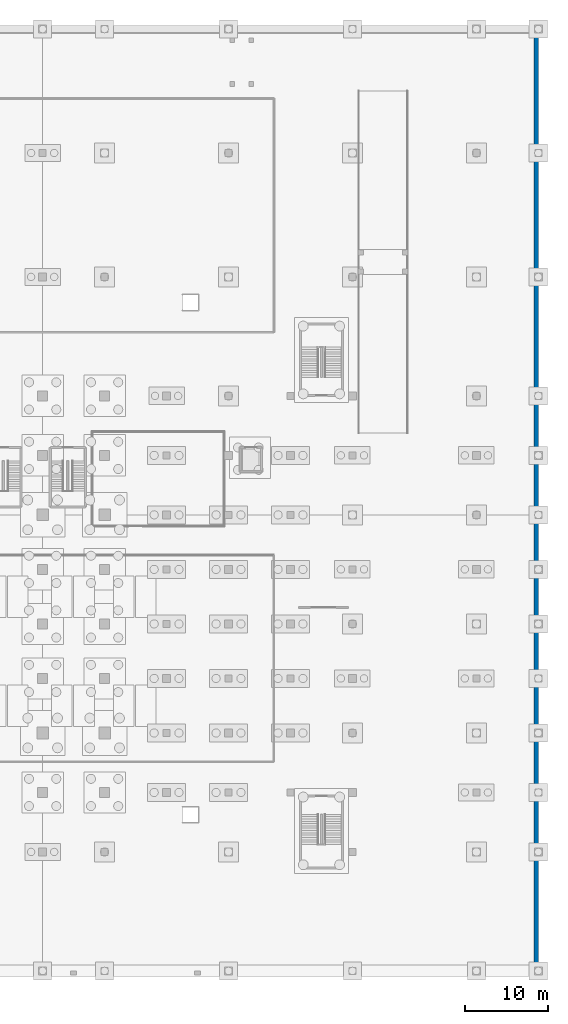
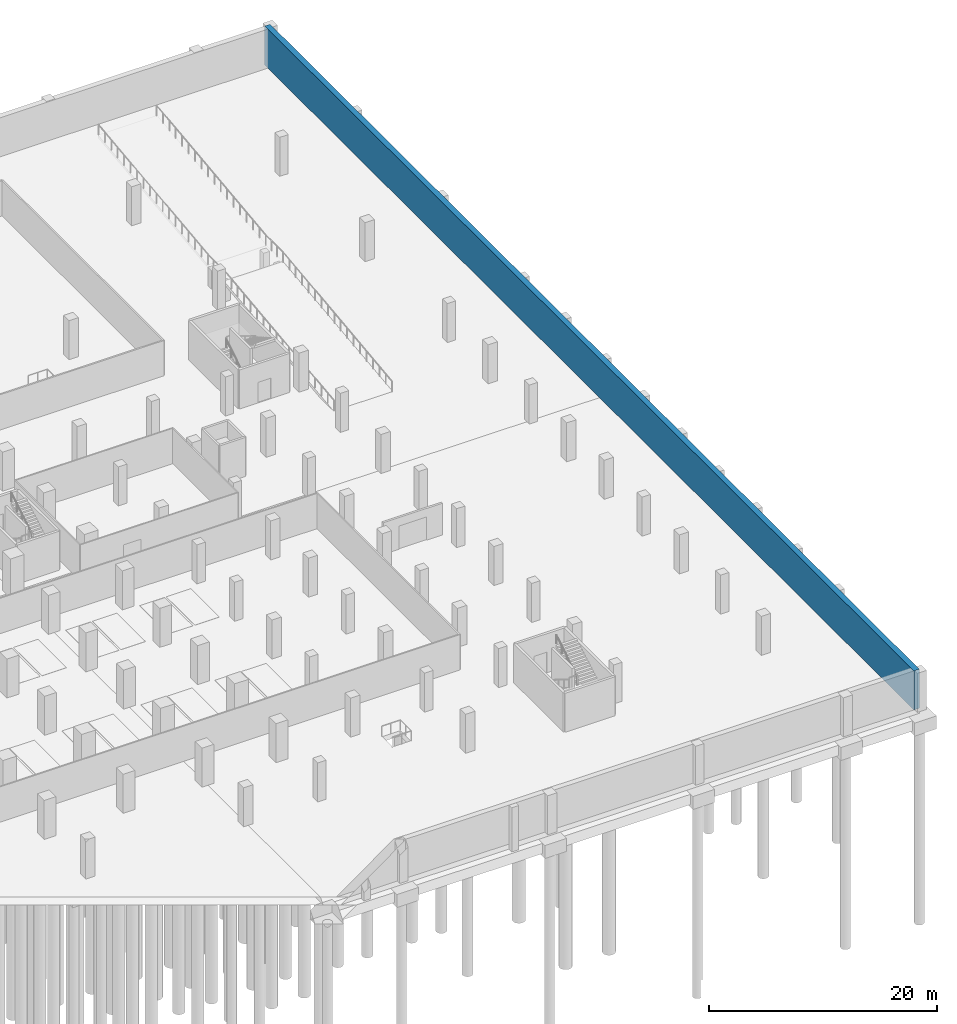
# One storey, part 17 of 26: 1 wall.
"""IFC4 building model written with IfcOpenShell, lengths in metres."""

from ifc_helpers import new_model, si_unit, direction, frame, frame_2d, origin, place, context, subcontext, project, spatial, rectangle, extrude, material, layer, layer_set, type_object, element, save


model = new_model("IFC4")

# Units and contexts
model_context = context("Model", 3, precision=1e-05, world=origin(), true_north=direction((0.0, 1.0)))
body_context = subcontext(model_context, "Body", "Model", "MODEL_VIEW")
ifc_project = project(units=[si_unit("LENGTHUNIT", "METRE"), si_unit("AREAUNIT", "SQUARE_METRE"), si_unit("VOLUMEUNIT", "CUBIC_METRE"), si_unit("PLANEANGLEUNIT", "RADIAN"), si_unit("MASSUNIT", "GRAM", prefix="KILO")], contexts=[model_context])

# Site, building, storey
site_placement = place(None, origin())
site = spatial("IfcSite", under=ifc_project, at=site_placement, CompositionType="ELEMENT")
building_placement = place(site_placement, origin())
building = spatial("IfcBuilding", under=site, at=building_placement, Name="Akrevak Sports Hall", CompositionType="ELEMENT")
storey_placement = place(building_placement, frame((0.0, 0.0, -9.0)))
storey = spatial("IfcBuildingStorey", under=building, at=storey_placement, Name="B02", CompositionType="ELEMENT", Elevation=-9.0)

# Wall
ifc_material = material(Name="Concrete C40/50", Category="concrete")
ifc_layer = layer(ifc_material, 0.550048828125, Name="Concrete C40/50")
ifc_layer_set = layer_set([ifc_layer], Name="Concrete C40/50")
wall_type = type_object("IfcWallType", Name="STR-WL-RET-550", PredefinedType="SOLIDWALL", material=ifc_layer_set)
wall_placement = place(storey_placement, frame((167.72509765625, 0.0, 0.0), z_axis=(0.0, 0.0, 1.0), x_axis=(0.0, 1.0, 0.0)))
element("IfcWall", 1, at=wall_placement, inside=storey, type_object=wall_type, Name="Basement Retaining Wall B02-2", PredefinedType="SOLIDWALL", context=body_context, shape_type="SweptSolid", body=[
    extrude(rectangle(XDim=114.0, YDim=0.550048828125, at=frame_2d((57.0, 0.0))), origin(), (0.0, 0.0, 1.0), 4.179931640625),
])

save(model, "model.ifc")
